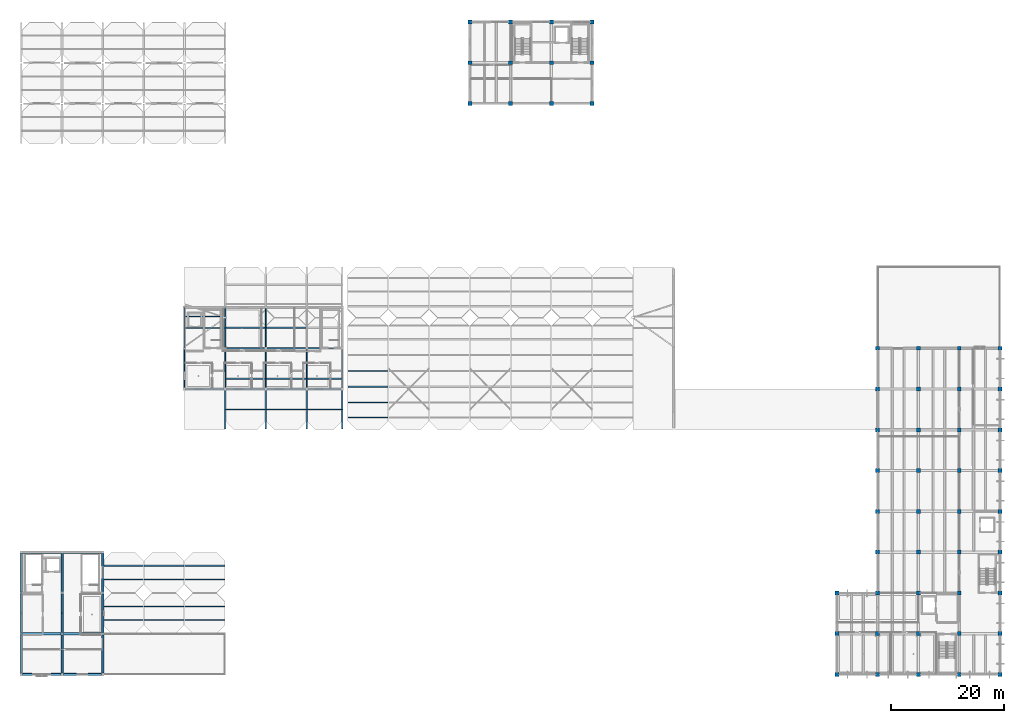
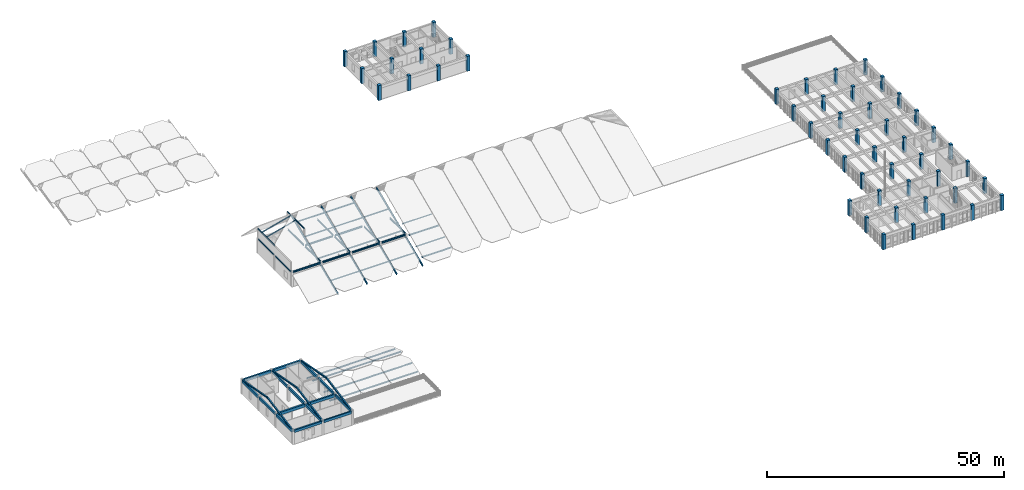
# One storey, part 3 of 54: 51 columns, 39 members, 31 beams.
"""IFC4 building model written with IfcOpenShell, lengths in metres."""

from ifc_helpers import new_model, si_unit, direction, frame, origin, origin_2d, place, context, subcontext, project, spatial, rectangle, i_section, extrude, material, material_profile, profile_set, type_object, element, save


model = new_model("IFC4")

# Units and contexts
model_context = context("Model", 3, precision=1e-05, world=origin(), true_north=direction((0.0, 1.0)))
body_context = subcontext(model_context, "Body", "Model", "MODEL_VIEW")
ifc_project = project(units=[si_unit("LENGTHUNIT", "METRE"), si_unit("AREAUNIT", "SQUARE_METRE"), si_unit("VOLUMEUNIT", "CUBIC_METRE"), si_unit("PLANEANGLEUNIT", "RADIAN"), si_unit("MASSUNIT", "GRAM", prefix="KILO")], contexts=[model_context])

# Site, building, storey
site_placement = place(None, origin())
site = spatial("IfcSite", under=ifc_project, at=site_placement, CompositionType="ELEMENT")
building_placement = place(site_placement, origin())
building = spatial("IfcBuilding", under=site, at=building_placement, Name="Koriwan Promenade Central Fire Station", CompositionType="ELEMENT")
storey_placement = place(building_placement, frame((0.0, 0.0, 9.60009765625)))
storey = spatial("IfcBuildingStorey", under=building, at=storey_placement, Name="L02", CompositionType="ELEMENT", Elevation=9.60009765625)

# Columns
ifc_material_1 = material(Name="Concrete C40/50", Category="concrete")
ifc_material_profile_1 = material_profile(ifc_material_1, rectangle(XDim=0.699951171875, YDim=0.699951171875, at=origin_2d()), Name="RC-COL-700x700")
ifc_profile_set_1 = profile_set([ifc_material_profile_1], Name="Concrete C40/50")
column_type = type_object("IfcColumnType", Name="Column_RC-COL-700x700", PredefinedType="COLUMN", material=ifc_profile_set_1)
for number, where, z_axis, x_axis, name in (
    (1, (79.199951171875, 100.800048828125, 0.0), (0.0, 0.0, 1.0), (1.0, 0.0, 0.0), "V2 L02 column (79.2, 100.8)"),
    (2, (79.199951171875, 108.0, 0.0), (0.0, 0.0, 1.0), (1.0, 0.0, 0.0), "V2 L02 column (79.2, 108.0)"),
    (3, (79.199951171875, 115.199951171875, 0.0), (0.0, 0.0, 1.0), (1.0, 0.0, 0.0), "V2 L02 column (79.2, 115.2)"),
    (4, (86.39990234375, 100.800048828125, 0.0), (0.0, 0.0, 1.0), (1.0, 0.0, 0.0), "V2 L02 column (86.4, 100.8)"),
    (5, (86.39990234375, 108.0, 0.0), (0.0, 0.0, 1.0), (1.0, 0.0, 0.0), "V2 L02 column (86.4, 108.0)"),
    (6, (86.39990234375, 115.199951171875, 0.0), (0.0, 0.0, 1.0), (1.0, 0.0, 0.0), "V2 L02 column (86.4, 115.2)"),
    (7, (93.60009765625, 100.800048828125, 0.0), (0.0, 0.0, 1.0), (1.0, 0.0, 0.0), "V2 L02 column (93.6, 100.8)"),
    (8, (93.60009765625, 108.0, 0.0), (0.0, 0.0, 1.0), (1.0, 0.0, 0.0), "V2 L02 column (93.6, 108.0)"),
    (9, (93.60009765625, 115.199951171875, 0.0), (0.0, 0.0, 1.0), (1.0, 0.0, 0.0), "V2 L02 column (93.6, 115.2)"),
    (10, (100.800048828125, 100.800048828125, 0.0), (0.0, 0.0, 1.0), (1.0, 0.0, 0.0), "V2 L02 column (100.8, 100.8)"),
    (11, (100.800048828125, 108.0, 0.0), (0.0, 0.0, 1.0), (1.0, 0.0, 0.0), "V2 L02 column (100.8, 108.0)"),
    (12, (100.800048828125, 115.199951171875, 0.0), (0.0, 0.0, 1.0), (1.0, 0.0, 0.0), "V2 L02 column (100.8, 115.2)"),
    (13, (144.0, 0.0, 0.0), (0.0, 0.0, 1.0), (1.0, 0.0, 0.0), "V5 L02 column (144.0, 0.0)"),
    (14, (144.0, 7.199951171875, 0.0), (0.0, 0.0, 1.0), (1.0, 0.0, 0.0), "V5 L02 column (144.0, 7.2)"),
    (15, (144.0, 14.39990234375, 0.0), (0.0, 0.0, 1.0), (1.0, 0.0, 0.0), "V5 L02 column (144.0, 14.4)"),
    (16, (151.199951171875, 0.0, 0.0), (0.0, 0.0, 1.0), (1.0, 0.0, 0.0), "V5 L02 column (151.2, 0.0)"),
    (17, (151.199951171875, 7.199951171875, 0.0), (0.0, 0.0, 1.0), (1.0, 0.0, 0.0), "V5 L02 column (151.2, 7.2)"),
    (18, (151.199951171875, 14.39990234375, 0.0), (0.0, 0.0, 1.0), (1.0, 0.0, 0.0), "V5 L02 column (151.2, 14.4)"),
    (19, (151.199951171875, 21.60009765625, 0.0), (0.0, 0.0, 1.0), (1.0, 0.0, 0.0), "V5 L02 column (151.2, 21.6)"),
    (20, (151.199951171875, 28.800048828125, 0.0), (0.0, 0.0, 1.0), (1.0, 0.0, 0.0), "V5 L02 column (151.2, 28.8)"),
    (21, (151.199951171875, 36.0, 0.0), (0.0, 0.0, 1.0), (1.0, 0.0, 0.0), "V5 L02 column (151.2, 36.0)"),
    (22, (151.199951171875, 43.199951171875, 0.0), (0.0, 0.0, 1.0), (1.0, 0.0, 0.0), "V5 L02 column (151.2, 43.2)"),
    (23, (151.199951171875, 50.39990234375, 0.0), (0.0, 0.0, 1.0), (1.0, 0.0, 0.0), "V5 L02 column (151.2, 50.4)"),
    (24, (151.199951171875, 57.60009765625, 0.0), (0.0, 0.0, 1.0), (1.0, 0.0, 0.0), "V5 L02 column (151.2, 57.6)"),
    (25, (158.39990234375, 0.0, 0.0), (0.0, 0.0, 1.0), (1.0, 0.0, 0.0), "V5 L02 column (158.4, 0.0)"),
    (26, (158.39990234375, 7.199951171875, 0.0), (0.0, 0.0, 1.0), (1.0, 0.0, 0.0), "V5 L02 column (158.4, 7.2)"),
    (27, (158.39990234375, 14.39990234375, 0.0), (0.0, 0.0, 1.0), (1.0, 0.0, 0.0), "V5 L02 column (158.4, 14.4)"),
    (28, (158.39990234375, 21.60009765625, 0.0), (0.0, 0.0, 1.0), (1.0, 0.0, 0.0), "V5 L02 column (158.4, 21.6)"),
    (29, (158.39990234375, 28.800048828125, 0.0), (0.0, 0.0, 1.0), (1.0, 0.0, 0.0), "V5 L02 column (158.4, 28.8)"),
    (30, (158.39990234375, 36.0, 0.0), (0.0, 0.0, 1.0), (1.0, 0.0, 0.0), "V5 L02 column (158.4, 36.0)"),
    (31, (158.39990234375, 43.199951171875, 0.0), (0.0, 0.0, 1.0), (1.0, 0.0, 0.0), "V5 L02 column (158.4, 43.2)"),
    (32, (158.39990234375, 50.39990234375, 0.0), (0.0, 0.0, 1.0), (1.0, 0.0, 0.0), "V5 L02 column (158.4, 50.4)"),
    (33, (158.39990234375, 57.60009765625, 0.0), (0.0, 0.0, 1.0), (1.0, 0.0, 0.0), "V5 L02 column (158.4, 57.6)"),
    (34, (165.60009765625, 0.0, 0.0), (0.0, 0.0, 1.0), (1.0, 0.0, 0.0), "V5 L02 column (165.6, 0.0)"),
    (35, (165.60009765625, 7.199951171875, 0.0), (0.0, 0.0, 1.0), (1.0, 0.0, 0.0), "V5 L02 column (165.6, 7.2)"),
    (36, (165.60009765625, 14.39990234375, 0.0), (0.0, 0.0, 1.0), (1.0, 0.0, 0.0), "V5 L02 column (165.6, 14.4)"),
    (37, (165.60009765625, 21.60009765625, 0.0), (0.0, 0.0, 1.0), (1.0, 0.0, 0.0), "V5 L02 column (165.6, 21.6)"),
    (38, (165.60009765625, 28.800048828125, 0.0), (0.0, 0.0, 1.0), (1.0, 0.0, 0.0), "V5 L02 column (165.6, 28.8)"),
    (39, (165.60009765625, 36.0, 0.0), (0.0, 0.0, 1.0), (1.0, 0.0, 0.0), "V5 L02 column (165.6, 36.0)"),
    (40, (165.60009765625, 43.199951171875, 0.0), (0.0, 0.0, 1.0), (1.0, 0.0, 0.0), "V5 L02 column (165.6, 43.2)"),
    (41, (165.60009765625, 50.39990234375, 0.0), (0.0, 0.0, 1.0), (1.0, 0.0, 0.0), "V5 L02 column (165.6, 50.4)"),
    (42, (165.60009765625, 57.60009765625, 0.0), (0.0, 0.0, 1.0), (1.0, 0.0, 0.0), "V5 L02 column (165.6, 57.6)"),
    (43, (172.800048828125, 0.0, 0.0), (0.0, 0.0, 1.0), (1.0, 0.0, 0.0), "V5 L02 column (172.8, 0.0)"),
    (44, (172.800048828125, 7.199951171875, 0.0), (0.0, 0.0, 1.0), (1.0, 0.0, 0.0), "V5 L02 column (172.8, 7.2)"),
    (45, (172.800048828125, 14.39990234375, 0.0), (0.0, 0.0, 1.0), (1.0, 0.0, 0.0), "V5 L02 column (172.8, 14.4)"),
    (46, (172.800048828125, 21.60009765625, 0.0), (0.0, 0.0, 1.0), (1.0, 0.0, 0.0), "V5 L02 column (172.8, 21.6)"),
    (47, (172.800048828125, 28.800048828125, 0.0), (0.0, 0.0, 1.0), (1.0, 0.0, 0.0), "V5 L02 column (172.8, 28.8)"),
    (48, (172.800048828125, 36.0, 0.0), (0.0, 0.0, 1.0), (1.0, 0.0, 0.0), "V5 L02 column (172.8, 36.0)"),
    (49, (172.800048828125, 43.199951171875, 0.0), (0.0, 0.0, 1.0), (1.0, 0.0, 0.0), "V5 L02 column (172.8, 43.2)"),
    (50, (172.800048828125, 50.39990234375, 0.0), (0.0, 0.0, 1.0), (1.0, 0.0, 0.0), "V5 L02 column (172.8, 50.4)"),
    (51, (172.800048828125, 57.60009765625, 0.0), (0.0, 0.0, 1.0), (1.0, 0.0, 0.0), "V5 L02 column (172.8, 57.6)"),
):
    element("IfcColumn", number, at=place(storey_placement, frame(where, z_axis=z_axis, x_axis=x_axis)), inside=storey, type_object=column_type, Name=name, PredefinedType="COLUMN", context=body_context, shape_type="SweptSolid", body=[
        extrude(rectangle(XDim=0.699951171875, YDim=0.699951171875, at=origin_2d()), origin(), (0.0, 0.0, 1.0), 3.89990234375),
    ])

# Beams
ifc_material_2 = material(Name="Concrete C35/45", Category="concrete")
ifc_material_profile_2 = material_profile(ifc_material_2, rectangle(XDim=0.35009765625, YDim=0.60009765625, at=origin_2d()), Name="RC-BM-350x600")
ifc_profile_set_2 = profile_set([ifc_material_profile_2], Name="Concrete C35/45")
beam_type_1 = type_object("IfcBeamType", Name="Beam_RC-BM-350x600", PredefinedType="BEAM", material=ifc_profile_set_2)
for number, where, z_axis, x_axis, name in (
    (52, (0.0, 7.425048828125, 3.349853515625), (0.0, 1.0, 0.0), (-1.0, 0.0, 0.0), "V3 L02 girder Y-316"),
    (53, (7.199951171875, 0.22509765625, 3.349853515625), (0.0, 1.0, 0.0), (-1.0, 0.0, 0.0), "V3 L02 girder Y-318"),
    (54, (7.199951171875, 14.625, 3.349853515625), (0.0, 1.0, 0.0), (-1.0, 0.0, 0.0), "V3 L02 girder Y-320"),
    (55, (14.39990234375, 7.425048828125, 3.349853515625), (0.0, 1.0, 0.0), (-1.0, 0.0, 0.0), "V3 L02 girder Y-322"),
):
    element("IfcBeam", number, at=place(storey_placement, frame(where, z_axis=z_axis, x_axis=x_axis)), inside=storey, type_object=beam_type_1, Name=name, PredefinedType="BEAM", context=body_context, shape_type="SweptSolid", body=[
        extrude(rectangle(XDim=0.35009765625, YDim=0.60009765625, at=origin_2d()), origin(), (0.0, 0.0, 1.0), 6.75),
    ])
ifc_material_profile_3 = material_profile(ifc_material_2, rectangle(XDim=0.35009765625, YDim=0.64990234375, at=origin_2d()), Name="RC-BM-350x650")
ifc_profile_set_3 = profile_set([ifc_material_profile_3], Name="Concrete C35/45")
beam_type_2 = type_object("IfcBeamType", Name="Beam_RC-BM-350x650", PredefinedType="BEAM", material=ifc_profile_set_3)
for number, where, z_axis, x_axis, name in (
    (56, (0.0, 0.22509765625, 3.324951171875), (0.0, 1.0, 0.0), (-1.0, 0.0, 0.0), "V3 L02 girder Y-315"),
    (57, (0.0, 14.625, 3.324951171875), (0.0, 1.0, 0.0), (-1.0, 0.0, 0.0), "V3 L02 girder Y-317"),
    (58, (7.199951171875, 7.425048828125, 3.324951171875), (0.0, 1.0, 0.0), (-1.0, 0.0, 0.0), "V3 L02 girder Y-319"),
    (59, (14.39990234375, 0.22509765625, 3.324951171875), (0.0, 1.0, 0.0), (-1.0, 0.0, 0.0), "V3 L02 girder Y-321"),
    (60, (14.39990234375, 14.625, 3.324951171875), (0.0, 1.0, 0.0), (-1.0, 0.0, 0.0), "V3 L02 girder Y-323"),
):
    element("IfcBeam", number, at=place(storey_placement, frame(where, z_axis=z_axis, x_axis=x_axis)), inside=storey, type_object=beam_type_2, Name=name, PredefinedType="BEAM", context=body_context, shape_type="SweptSolid", body=[
        extrude(rectangle(XDim=0.35009765625, YDim=0.64990234375, at=origin_2d()), origin(), (0.0, 0.0, 1.0), 6.75),
    ])
ifc_material_profile_4 = material_profile(ifc_material_2, rectangle(XDim=0.39990234375, YDim=0.699951171875, at=origin_2d()), Name="RC-BM-400x700")
ifc_profile_set_4 = profile_set([ifc_material_profile_4], Name="Concrete C35/45")
beam_type_3 = type_object("IfcBeamType", Name="Beam_RC-BM-400x700", PredefinedType="BEAM", material=ifc_profile_set_4)
for number, where, z_axis, x_axis, name in (
    (61, (7.425048828125, 7.199951171875, 3.2998046875), (1.0, 0.0, 0.0), (0.0, 1.0, 0.0), "V3 L02 girder X-312"),
    (62, (7.425048828125, 21.60009765625, 3.2998046875), (1.0, 0.0, 0.0), (0.0, 1.0, 0.0), "V3 L02 girder X-314"),
):
    element("IfcBeam", number, at=place(storey_placement, frame(where, z_axis=z_axis, x_axis=x_axis)), inside=storey, type_object=beam_type_3, Name=name, PredefinedType="BEAM", context=body_context, shape_type="SweptSolid", body=[
        extrude(rectangle(XDim=0.39990234375, YDim=0.699951171875, at=origin_2d()), origin(), (0.0, 0.0, 1.0), 6.75),
    ])
ifc_material_profile_5 = material_profile(ifc_material_2, rectangle(XDim=0.39990234375, YDim=0.75, at=origin_2d()), Name="RC-BM-400x750")
ifc_profile_set_5 = profile_set([ifc_material_profile_5], Name="Concrete C35/45")
beam_type_4 = type_object("IfcBeamType", Name="Beam_RC-BM-400x750", PredefinedType="BEAM", material=ifc_profile_set_5)
for number, where, z_axis, x_axis, name in (
    (63, (0.22509765625, 7.199951171875, 3.27490234375), (1.0, 0.0, 0.0), (0.0, 1.0, 0.0), "V3 L02 girder X-311"),
    (64, (0.22509765625, 21.60009765625, 3.27490234375), (1.0, 0.0, 0.0), (0.0, 1.0, 0.0), "V3 L02 girder X-313"),
):
    element("IfcBeam", number, at=place(storey_placement, frame(where, z_axis=z_axis, x_axis=x_axis)), inside=storey, type_object=beam_type_4, Name=name, PredefinedType="BEAM", context=body_context, shape_type="SweptSolid", body=[
        extrude(rectangle(XDim=0.39990234375, YDim=0.75, at=origin_2d()), origin(), (0.0, 0.0, 1.0), 6.75),
    ])
ifc_material_profile_6 = material_profile(ifc_material_2, rectangle(XDim=0.35009765625, YDim=0.64990234375, at=origin_2d()), Name="RC-SP-350x650")
ifc_profile_set_6 = profile_set([ifc_material_profile_6], Name="Concrete C35/45")
beam_type_5 = type_object("IfcBeamType", Name="Beam_RC-SP-350x650", PredefinedType="SPANDREL", material=ifc_profile_set_6)
for number, where, z_axis, x_axis, name in (
    (65, (0.22509765625, 0.0, 3.324951171875), (1.0, 0.0, 0.0), (0.0, 1.0, 0.0), "V3 L02 girder X-309"),
    (66, (7.425048828125, 0.0, 3.324951171875), (1.0, 0.0, 0.0), (0.0, 1.0, 0.0), "V3 L02 girder X-310"),
):
    element("IfcBeam", number, at=place(storey_placement, frame(where, z_axis=z_axis, x_axis=x_axis)), inside=storey, type_object=beam_type_5, Name=name, PredefinedType="SPANDREL", context=body_context, shape_type="SweptSolid", body=[
        extrude(rectangle(XDim=0.35009765625, YDim=0.64990234375, at=origin_2d()), origin(), (0.0, 0.0, 1.0), 6.75),
    ])

# Members
ifc_material_3 = material(Name="Steel ASTM A992 Grade 50", Category="steel")
ifc_material_profile_7 = material_profile(ifc_material_3, i_section(OverallWidth=0.304931640625, OverallDepth=0.30810546875, WebThickness=0.010009765625, FlangeThickness=0.015380859375, FilletRadius=0.014892578125, at=origin_2d()), Name="W310x97")
ifc_profile_set_7 = profile_set([ifc_material_profile_7], Name="Steel ASTM A992 Grade 50")
member_type_1 = type_object("IfcMemberType", Name="Member_CHORD_W310x97", PredefinedType="CHORD", material=ifc_profile_set_7)
member_1_placement = place(storey_placement, frame((0.0, 0.199951171875, 3.5498046875), z_axis=(0.0, 0.983493733777, 0.180942188618), x_axis=(-1.0, 0.0, 0.0)))
element("IfcMember", 67, at=member_1_placement, inside=storey, type_object=member_type_1, Name="V3 west pavilion south rafter 1", PredefinedType="CHORD", context=body_context, shape_type="SweptSolid", body=[
    extrude(i_section(OverallWidth=0.304931640625, OverallDepth=0.30810546875, WebThickness=0.010009765625, FlangeThickness=0.015380859375, FilletRadius=0.014892578125, at=origin_2d()), origin(), (0.0, 0.0, 1.0), 10.778076171875),
])
member_2_placement = place(storey_placement, frame((0.0, 10.800048828125, 5.5), z_axis=(0.0, 0.983492992132, -0.18094621971), x_axis=(-1.0, 0.0, 0.0)))
element("IfcMember", 68, at=member_2_placement, inside=storey, type_object=member_type_1, Name="V3 west pavilion north rafter 1", PredefinedType="CHORD", context=body_context, shape_type="SweptSolid", body=[
    extrude(i_section(OverallWidth=0.304931640625, OverallDepth=0.30810546875, WebThickness=0.010009765625, FlangeThickness=0.015380859375, FilletRadius=0.014892578125, at=origin_2d()), origin(), (0.0, 0.0, 1.0), 10.77783203125),
])
member_3_placement = place(storey_placement, frame((7.199951171875, 0.199951171875, 3.5498046875), z_axis=(0.0, 0.983493733777, 0.180942188618), x_axis=(-1.0, 0.0, 0.0)))
element("IfcMember", 69, at=member_3_placement, inside=storey, type_object=member_type_1, Name="V3 west pavilion south rafter 2", PredefinedType="CHORD", context=body_context, shape_type="SweptSolid", body=[
    extrude(i_section(OverallWidth=0.304931640625, OverallDepth=0.30810546875, WebThickness=0.010009765625, FlangeThickness=0.015380859375, FilletRadius=0.014892578125, at=origin_2d()), origin(), (0.0, 0.0, 1.0), 10.778076171875),
])
member_4_placement = place(storey_placement, frame((7.199951171875, 10.800048828125, 5.5), z_axis=(0.0, 0.983492992132, -0.18094621971), x_axis=(-1.0, 0.0, 0.0)))
element("IfcMember", 70, at=member_4_placement, inside=storey, type_object=member_type_1, Name="V3 west pavilion north rafter 2", PredefinedType="CHORD", context=body_context, shape_type="SweptSolid", body=[
    extrude(i_section(OverallWidth=0.304931640625, OverallDepth=0.30810546875, WebThickness=0.010009765625, FlangeThickness=0.015380859375, FilletRadius=0.014892578125, at=origin_2d()), origin(), (0.0, 0.0, 1.0), 10.77783203125),
])
member_5_placement = place(storey_placement, frame((14.39990234375, 0.199951171875, 3.5498046875), z_axis=(0.0, 0.983493733777, 0.180942188618), x_axis=(-1.0, 0.0, 0.0)))
element("IfcMember", 71, at=member_5_placement, inside=storey, type_object=member_type_1, Name="V3 west pavilion south rafter 3", PredefinedType="CHORD", context=body_context, shape_type="SweptSolid", body=[
    extrude(i_section(OverallWidth=0.304931640625, OverallDepth=0.30810546875, WebThickness=0.010009765625, FlangeThickness=0.015380859375, FilletRadius=0.014892578125, at=origin_2d()), origin(), (0.0, 0.0, 1.0), 10.778076171875),
])
member_6_placement = place(storey_placement, frame((14.39990234375, 10.800048828125, 5.5), z_axis=(0.0, 0.983492992132, -0.18094621971), x_axis=(-1.0, 0.0, 0.0)))
element("IfcMember", 72, at=member_6_placement, inside=storey, type_object=member_type_1, Name="V3 west pavilion north rafter 3", PredefinedType="CHORD", context=body_context, shape_type="SweptSolid", body=[
    extrude(i_section(OverallWidth=0.304931640625, OverallDepth=0.30810546875, WebThickness=0.010009765625, FlangeThickness=0.015380859375, FilletRadius=0.014892578125, at=origin_2d()), origin(), (0.0, 0.0, 1.0), 10.77783203125),
])
ifc_material_profile_8 = material_profile(ifc_material_3, i_section(OverallWidth=0.257080078125, OverallDepth=0.363037109375, WebThickness=0.012939453125, FlangeThickness=0.021728515625, FilletRadius=0.014892578125, at=origin_2d()), Name="W360x122")
ifc_profile_set_8 = profile_set([ifc_material_profile_8], Name="Steel ASTM A992 Grade 50")
member_type_2 = type_object("IfcMemberType", Name="Member_CHORD_W360x122", PredefinedType="CHORD", material=ifc_profile_set_8)
for number, where, z_axis, x_axis, name in (
    (73, (36.0, 43.419921875, -0.18017578125), (0.0, 0.921369818155, 0.388687095482), (-1.0, 0.0, 0.0), "V4 roof south rafter 1"),
    (74, (43.199951171875, 43.419921875, -0.18017578125), (0.0, 0.921369818155, 0.388687095482), (-1.0, 0.0, 0.0), "V4 roof south rafter 2"),
    (75, (50.39990234375, 43.419921875, -0.18017578125), (0.0, 0.921369818155, 0.388687095482), (-1.0, 0.0, 0.0), "V4 roof south rafter 3"),
    (76, (56.699951171875, 43.419921875, -0.18017578125), (0.0, 0.921369818155, 0.388687095482), (-1.0, 0.0, 0.0), "V4 roof south rafter 4"),
):
    element("IfcMember", number, at=place(storey_placement, frame(where, z_axis=z_axis, x_axis=x_axis)), inside=storey, type_object=member_type_2, Name=name, PredefinedType="CHORD", context=body_context, shape_type="SweptSolid", body=[
        extrude(i_section(OverallWidth=0.257080078125, OverallDepth=0.363037109375, WebThickness=0.012939453125, FlangeThickness=0.021728515625, FilletRadius=0.014892578125, at=origin_2d()), origin(), (0.0, 0.0, 1.0), 21.2509765625),
    ])
ifc_material_profile_9 = material_profile(ifc_material_3, i_section(OverallWidth=0.202880859375, OverallDepth=0.202880859375, WebThickness=0.007080078125, FlangeThickness=0.010986328125, FilletRadius=0.010009765625, at=origin_2d()), Name="W200x46")
ifc_profile_set_9 = profile_set([ifc_material_profile_9], Name="Steel ASTM A992 Grade 50")
member_type_3 = type_object("IfcMemberType", Name="Member_PURLIN_W200x46", PredefinedType="PURLIN", material=ifc_profile_set_9)
for number, where, z_axis, x_axis, name in (
    (77, (57.639892578125, 45.39990234375, 0.545654296875), (1.0, 0.0, 0.0), (0.0, 1.0, 0.0), "V1 roof purlin bay 1-1"),
    (78, (57.639892578125, 50.800048828125, 2.945556640625), (1.0, 0.0, 0.0), (0.0, 1.0, 0.0), "V1 roof purlin bay 1-3"),
    (79, (14.43994140625, 9.60009765625, 0.349609375), (1.0, 0.0, 0.0), (0.0, 1.0, 0.0), "V3 lecture roof purlin 1-1"),
    (80, (14.43994140625, 12.0, 1.1162109375), (1.0, 0.0, 0.0), (0.0, 1.0, 0.0), "V3 lecture roof purlin 1-2"),
    (81, (14.43994140625, 16.800048828125, 1.1162109375), (1.0, 0.0, 0.0), (0.0, 1.0, 0.0), "V3 lecture roof purlin 1-3"),
    (82, (14.43994140625, 19.199951171875, 0.349609375), (1.0, 0.0, 0.0), (0.0, 1.0, 0.0), "V3 lecture roof purlin 1-4"),
    (83, (21.639892578125, 9.60009765625, 0.349609375), (1.0, 0.0, 0.0), (0.0, 1.0, 0.0), "V3 lecture roof purlin 2-1"),
    (84, (21.639892578125, 12.0, 1.1162109375), (1.0, 0.0, 0.0), (0.0, 1.0, 0.0), "V3 lecture roof purlin 2-2"),
    (85, (21.639892578125, 16.800048828125, 1.1162109375), (1.0, 0.0, 0.0), (0.0, 1.0, 0.0), "V3 lecture roof purlin 2-3"),
    (86, (21.639892578125, 19.199951171875, 0.349609375), (1.0, 0.0, 0.0), (0.0, 1.0, 0.0), "V3 lecture roof purlin 2-4"),
):
    element("IfcMember", number, at=place(storey_placement, frame(where, z_axis=z_axis, x_axis=x_axis)), inside=storey, type_object=member_type_3, Name=name, PredefinedType="PURLIN", context=body_context, shape_type="SweptSolid", body=[
        extrude(i_section(OverallWidth=0.202880859375, OverallDepth=0.202880859375, WebThickness=0.007080078125, FlangeThickness=0.010986328125, FilletRadius=0.010009765625, at=origin_2d()), origin(), (0.0, 0.0, 1.0), 7.1201171875),
    ])
for number, where, z_axis, x_axis, name in (
    (87, (28.840087890625, 9.60009765625, 0.349609375), (1.0, 0.0, 0.0), (0.0, 1.0, 0.0), "V3 lecture roof purlin 3-1"),
    (88, (28.840087890625, 12.0, 1.1162109375), (1.0, 0.0, 0.0), (0.0, 1.0, 0.0), "V3 lecture roof purlin 3-2"),
    (89, (28.840087890625, 16.800048828125, 1.1162109375), (1.0, 0.0, 0.0), (0.0, 1.0, 0.0), "V3 lecture roof purlin 3-3"),
    (90, (28.840087890625, 19.199951171875, 0.349609375), (1.0, 0.0, 0.0), (0.0, 1.0, 0.0), "V3 lecture roof purlin 3-4"),
):
    element("IfcMember", number, at=place(storey_placement, frame(where, z_axis=z_axis, x_axis=x_axis)), inside=storey, type_object=member_type_3, Name=name, PredefinedType="PURLIN", context=body_context, shape_type="SweptSolid", body=[
        extrude(i_section(OverallWidth=0.202880859375, OverallDepth=0.202880859375, WebThickness=0.007080078125, FlangeThickness=0.010986328125, FilletRadius=0.010009765625, at=origin_2d()), origin(), (0.0, 0.0, 1.0), 7.119873046875),
    ])
ifc_material_profile_10 = material_profile(ifc_material_3, i_section(OverallWidth=0.205078125, OverallDepth=0.2099609375, WebThickness=0.009033203125, FlangeThickness=0.01416015625, FilletRadius=0.010009765625, at=origin_2d()), Name="W200x59")
ifc_profile_set_10 = profile_set([ifc_material_profile_10], Name="Steel ASTM A992 Grade 50")
member_type_4 = type_object("IfcMemberType", Name="Member_PURLIN_W200x59", PredefinedType="PURLIN", material=ifc_profile_set_10)
for number, where, z_axis, x_axis, name in (
    (91, (57.639892578125, 48.0, 1.701171875), (1.0, 0.0, 0.0), (0.0, 1.0, 0.0), "V1 roof purlin bay 1-2"),
    (92, (57.639892578125, 53.60009765625, 4.190185546875), (1.0, 0.0, 0.0), (0.0, 1.0, 0.0), "V1 roof purlin bay 1-4"),
):
    element("IfcMember", number, at=place(storey_placement, frame(where, z_axis=z_axis, x_axis=x_axis)), inside=storey, type_object=member_type_4, Name=name, PredefinedType="PURLIN", context=body_context, shape_type="SweptSolid", body=[
        extrude(i_section(OverallWidth=0.205078125, OverallDepth=0.2099609375, WebThickness=0.009033203125, FlangeThickness=0.01416015625, FilletRadius=0.010009765625, at=origin_2d()), origin(), (0.0, 0.0, 1.0), 7.1201171875),
    ])
for number, where, z_axis, x_axis, name in (
    (93, (28.800048828125, 61.199951171875, 6.189697265625), (0.967226031934, 0.0, 0.253916921747), (0.0, 1.0, 0.0), "V4 west chamfer sloped rafter 1"),
    (94, (28.800048828125, 63.199951171875, 6.189697265625), (0.967226031934, 0.0, 0.253916921747), (0.0, 1.0, 0.0), "V4 west chamfer sloped rafter 2"),
):
    element("IfcMember", number, at=place(storey_placement, frame(where, z_axis=z_axis, x_axis=x_axis)), inside=storey, type_object=member_type_4, Name=name, PredefinedType="PURLIN", context=body_context, shape_type="SweptSolid", body=[
        extrude(i_section(OverallWidth=0.205078125, OverallDepth=0.2099609375, WebThickness=0.009033203125, FlangeThickness=0.01416015625, FilletRadius=0.010009765625, at=origin_2d()), origin(), (0.0, 0.0, 1.0), 7.44384765625),
    ])
ifc_material_profile_11 = material_profile(ifc_material_3, i_section(OverallWidth=0.202880859375, OverallDepth=0.251953125, WebThickness=0.008056640625, FlangeThickness=0.013427734375, FilletRadius=0.012939453125, at=origin_2d()), Name="W250x58")
ifc_profile_set_11 = profile_set([ifc_material_profile_11], Name="Steel ASTM A992 Grade 50")
member_type_5 = type_object("IfcMemberType", Name="Member_PURLIN_W250x58", PredefinedType="PURLIN", material=ifc_profile_set_11)
for number, where, z_axis, x_axis, name in (
    (95, (36.0400390625, 46.800048828125, 1.156982421875), (1.0, 0.0, 0.0), (0.0, 1.0, 0.0), "V4 roof purlin bay 2-1"),
    (96, (36.0400390625, 57.60009765625, 5.956787109375), (1.0, 0.0, 0.0), (0.0, 1.0, 0.0), "V4 roof purlin bay 2-3"),
):
    element("IfcMember", number, at=place(storey_placement, frame(where, z_axis=z_axis, x_axis=x_axis)), inside=storey, type_object=member_type_5, Name=name, PredefinedType="PURLIN", context=body_context, shape_type="SweptSolid", body=[
        extrude(i_section(OverallWidth=0.202880859375, OverallDepth=0.251953125, WebThickness=0.008056640625, FlangeThickness=0.013427734375, FilletRadius=0.012939453125, at=origin_2d()), origin(), (0.0, 0.0, 1.0), 7.119873046875),
    ])
for number, where, z_axis, x_axis, name in (
    (97, (43.239990234375, 46.800048828125, 1.156982421875), (1.0, 0.0, 0.0), (0.0, 1.0, 0.0), "V4 roof purlin bay 3-1"),
    (98, (43.239990234375, 57.60009765625, 5.956787109375), (1.0, 0.0, 0.0), (0.0, 1.0, 0.0), "V4 roof purlin bay 3-3"),
):
    element("IfcMember", number, at=place(storey_placement, frame(where, z_axis=z_axis, x_axis=x_axis)), inside=storey, type_object=member_type_5, Name=name, PredefinedType="PURLIN", context=body_context, shape_type="SweptSolid", body=[
        extrude(i_section(OverallWidth=0.202880859375, OverallDepth=0.251953125, WebThickness=0.008056640625, FlangeThickness=0.013427734375, FilletRadius=0.012939453125, at=origin_2d()), origin(), (0.0, 0.0, 1.0), 7.1201171875),
    ])
for number, where, z_axis, x_axis, name in (
    (99, (50.43994140625, 46.800048828125, 1.156982421875), (1.0, 0.0, 0.0), (0.0, 1.0, 0.0), "V4 roof purlin bay 4-1"),
    (100, (50.43994140625, 57.60009765625, 5.956787109375), (1.0, 0.0, 0.0), (0.0, 1.0, 0.0), "V4 roof purlin bay 4-3"),
):
    element("IfcMember", number, at=place(storey_placement, frame(where, z_axis=z_axis, x_axis=x_axis)), inside=storey, type_object=member_type_5, Name=name, PredefinedType="PURLIN", context=body_context, shape_type="SweptSolid", body=[
        extrude(i_section(OverallWidth=0.202880859375, OverallDepth=0.251953125, WebThickness=0.008056640625, FlangeThickness=0.013427734375, FilletRadius=0.012939453125, at=origin_2d()), origin(), (0.0, 0.0, 1.0), 6.219970703125),
    ])
ifc_material_profile_12 = material_profile(ifc_material_3, i_section(OverallWidth=0.25390625, OverallDepth=0.2529296875, WebThickness=0.008544921875, FlangeThickness=0.01416015625, FilletRadius=0.012939453125, at=origin_2d()), Name="W250x73")
ifc_profile_set_12 = profile_set([ifc_material_profile_12], Name="Steel ASTM A992 Grade 50")
member_type_6 = type_object("IfcMemberType", Name="Member_PURLIN_W250x73", PredefinedType="PURLIN", material=ifc_profile_set_12)
for number, where, z_axis, x_axis, name in (
    (101, (36.0400390625, 52.199951171875, 3.556884765625), (1.0, 0.0, 0.0), (0.0, 1.0, 0.0), "V4 roof purlin bay 2-2"),
    (102, (36.0400390625, 61.199951171875, 7.556884765625), (1.0, 0.0, 0.0), (0.0, 1.0, 0.0), "V4 roof purlin bay 2-4"),
):
    element("IfcMember", number, at=place(storey_placement, frame(where, z_axis=z_axis, x_axis=x_axis)), inside=storey, type_object=member_type_6, Name=name, PredefinedType="PURLIN", context=body_context, shape_type="SweptSolid", body=[
        extrude(i_section(OverallWidth=0.25390625, OverallDepth=0.2529296875, WebThickness=0.008544921875, FlangeThickness=0.01416015625, FilletRadius=0.012939453125, at=origin_2d()), origin(), (0.0, 0.0, 1.0), 7.119873046875),
    ])
for number, where, z_axis, x_axis, name in (
    (103, (43.239990234375, 52.199951171875, 3.556884765625), (1.0, 0.0, 0.0), (0.0, 1.0, 0.0), "V4 roof purlin bay 3-2"),
    (104, (43.239990234375, 61.199951171875, 7.556884765625), (1.0, 0.0, 0.0), (0.0, 1.0, 0.0), "V4 roof purlin bay 3-4"),
):
    element("IfcMember", number, at=place(storey_placement, frame(where, z_axis=z_axis, x_axis=x_axis)), inside=storey, type_object=member_type_6, Name=name, PredefinedType="PURLIN", context=body_context, shape_type="SweptSolid", body=[
        extrude(i_section(OverallWidth=0.25390625, OverallDepth=0.2529296875, WebThickness=0.008544921875, FlangeThickness=0.01416015625, FilletRadius=0.012939453125, at=origin_2d()), origin(), (0.0, 0.0, 1.0), 7.1201171875),
    ])
member_7_placement = place(storey_placement, frame((50.43994140625, 52.199951171875, 3.556884765625), z_axis=(1.0, 0.0, 0.0), x_axis=(0.0, 1.0, 0.0)))
element("IfcMember", 105, at=member_7_placement, inside=storey, type_object=member_type_6, Name="V4 roof purlin bay 4-2", PredefinedType="PURLIN", context=body_context, shape_type="SweptSolid", body=[
    extrude(i_section(OverallWidth=0.25390625, OverallDepth=0.2529296875, WebThickness=0.008544921875, FlangeThickness=0.01416015625, FilletRadius=0.012939453125, at=origin_2d()), origin(), (0.0, 0.0, 1.0), 6.219970703125),
])

# Beams
ifc_material_profile_13 = material_profile(ifc_material_3, i_section(OverallWidth=0.205078125, OverallDepth=0.31005859375, WebThickness=0.009521484375, FlangeThickness=0.016357421875, FilletRadius=0.014892578125, at=origin_2d()), Name="W310x74")
ifc_profile_set_13 = profile_set([ifc_material_profile_13], Name="Steel ASTM A992 Grade 50")
beam_type_6 = type_object("IfcBeamType", Name="SteelBeam_W310x74", PredefinedType="BEAM", material=ifc_profile_set_13)
for number, where, z_axis, x_axis, name in (
    (106, (28.800048828125, 57.60009765625, 6.189697265625), (0.0, 1.0, 0.0), (-1.0, 0.0, 0.0), "V4 west chamfer eave header beam"),
    (107, (36.0, 57.60009765625, 8.079833984375), (0.0, 1.0, 0.0), (-1.0, 0.0, 0.0), "V4 west chamfer apex header beam"),
):
    element("IfcBeam", number, at=place(storey_placement, frame(where, z_axis=z_axis, x_axis=x_axis)), inside=storey, type_object=beam_type_6, Name=name, PredefinedType="BEAM", context=body_context, shape_type="SweptSolid", body=[
        extrude(i_section(OverallWidth=0.205078125, OverallDepth=0.31005859375, WebThickness=0.009521484375, FlangeThickness=0.016357421875, FilletRadius=0.014892578125, at=origin_2d()), origin(), (0.0, 0.0, 1.0), 7.199951171875),
    ])
ifc_material_profile_14 = material_profile(ifc_material_3, i_section(OverallWidth=0.260009765625, OverallDepth=0.4150390625, WebThickness=0.010009765625, FlangeThickness=0.016845703125, FilletRadius=0.01611328125, at=origin_2d()), Name="W410x100")
ifc_profile_set_14 = profile_set([ifc_material_profile_14], Name="Steel ASTM A992 Grade 50")
beam_type_7 = type_object("IfcBeamType", Name="SteelBeam_W410x100", PredefinedType="BEAM", material=ifc_profile_set_14)
for number, where, z_axis, x_axis, name in (
    (108, (29.02490234375, 50.39990234375, 3.6923828125), (1.0, 0.0, 0.0), (0.0, 1.0, 0.0), "V4 L02 girder X-460"),
    (109, (36.22509765625, 50.39990234375, 3.6923828125), (1.0, 0.0, 0.0), (0.0, 1.0, 0.0), "V4 L02 girder X-461"),
    (110, (43.425048828125, 50.39990234375, 3.6923828125), (1.0, 0.0, 0.0), (0.0, 1.0, 0.0), "V4 L02 girder X-462"),
):
    element("IfcBeam", number, at=place(storey_placement, frame(where, z_axis=z_axis, x_axis=x_axis)), inside=storey, type_object=beam_type_7, Name=name, PredefinedType="BEAM", context=body_context, shape_type="SweptSolid", body=[
        extrude(i_section(OverallWidth=0.260009765625, OverallDepth=0.4150390625, WebThickness=0.010009765625, FlangeThickness=0.016845703125, FilletRadius=0.01611328125, at=origin_2d()), origin(), (0.0, 0.0, 1.0), 6.75),
    ])
beam_placement = place(storey_placement, frame((50.625, 50.39990234375, 3.6923828125), z_axis=(1.0, 0.0, 0.0), x_axis=(0.0, 1.0, 0.0)))
element("IfcBeam", 111, at=beam_placement, inside=storey, type_object=beam_type_7, Name="V4 L02 girder X-463", PredefinedType="BEAM", context=body_context, shape_type="SweptSolid", body=[
    extrude(i_section(OverallWidth=0.260009765625, OverallDepth=0.4150390625, WebThickness=0.010009765625, FlangeThickness=0.016845703125, FilletRadius=0.01611328125, at=origin_2d()), origin(), (0.0, 0.0, 1.0), 5.85009765625),
])
for number, where, z_axis, x_axis, name in (
    (112, (36.22509765625, 57.60009765625, 3.6923828125), (1.0, 0.0, 0.0), (0.0, 1.0, 0.0), "V4 L02 girder X-464"),
    (113, (43.425048828125, 57.60009765625, 3.6923828125), (1.0, 0.0, 0.0), (0.0, 1.0, 0.0), "V4 L02 girder X-465"),
):
    element("IfcBeam", number, at=place(storey_placement, frame(where, z_axis=z_axis, x_axis=x_axis)), inside=storey, type_object=beam_type_7, Name=name, PredefinedType="BEAM", context=body_context, shape_type="SweptSolid", body=[
        extrude(i_section(OverallWidth=0.260009765625, OverallDepth=0.4150390625, WebThickness=0.010009765625, FlangeThickness=0.016845703125, FilletRadius=0.01611328125, at=origin_2d()), origin(), (0.0, 0.0, 1.0), 6.75),
    ])
ifc_material_profile_15 = material_profile(ifc_material_3, i_section(OverallWidth=0.180908203125, OverallDepth=0.4169921875, WebThickness=0.010986328125, FlangeThickness=0.018310546875, FilletRadius=0.01611328125, at=origin_2d()), Name="W410x85")
ifc_profile_set_15 = profile_set([ifc_material_profile_15], Name="Steel ASTM A992 Grade 50")
beam_type_8 = type_object("IfcBeamType", Name="SteelBeam_W410x85", PredefinedType="BEAM", material=ifc_profile_set_15)
for number, where, z_axis, x_axis, name in (
    (114, (28.800048828125, 50.625, 3.69140625), (0.0, 1.0, 0.0), (-1.0, 0.0, 0.0), "V4 L02 girder Y-470"),
    (115, (28.800048828125, 57.824951171875, 3.69140625), (0.0, 1.0, 0.0), (-1.0, 0.0, 0.0), "V4 L02 girder Y-471"),
    (116, (36.0, 50.625, 3.69140625), (0.0, 1.0, 0.0), (-1.0, 0.0, 0.0), "V4 L02 girder Y-472"),
    (117, (36.0, 57.824951171875, 3.69140625), (0.0, 1.0, 0.0), (-1.0, 0.0, 0.0), "V4 L02 girder Y-473"),
    (118, (43.199951171875, 50.625, 3.69140625), (0.0, 1.0, 0.0), (-1.0, 0.0, 0.0), "V4 L02 girder Y-474"),
    (119, (43.199951171875, 57.824951171875, 3.69140625), (0.0, 1.0, 0.0), (-1.0, 0.0, 0.0), "V4 L02 girder Y-475"),
    (120, (50.39990234375, 50.625, 3.69140625), (0.0, 1.0, 0.0), (-1.0, 0.0, 0.0), "V4 L02 girder Y-476"),
    (121, (56.699951171875, 50.625, 3.69140625), (0.0, 1.0, 0.0), (-1.0, 0.0, 0.0), "V4 L02 girder Y-478"),
):
    element("IfcBeam", number, at=place(storey_placement, frame(where, z_axis=z_axis, x_axis=x_axis)), inside=storey, type_object=beam_type_8, Name=name, PredefinedType="BEAM", context=body_context, shape_type="SweptSolid", body=[
        extrude(i_section(OverallWidth=0.180908203125, OverallDepth=0.4169921875, WebThickness=0.010986328125, FlangeThickness=0.018310546875, FilletRadius=0.01611328125, at=origin_2d()), origin(), (0.0, 0.0, 1.0), 6.75),
    ])

save(model, "model.ifc")
